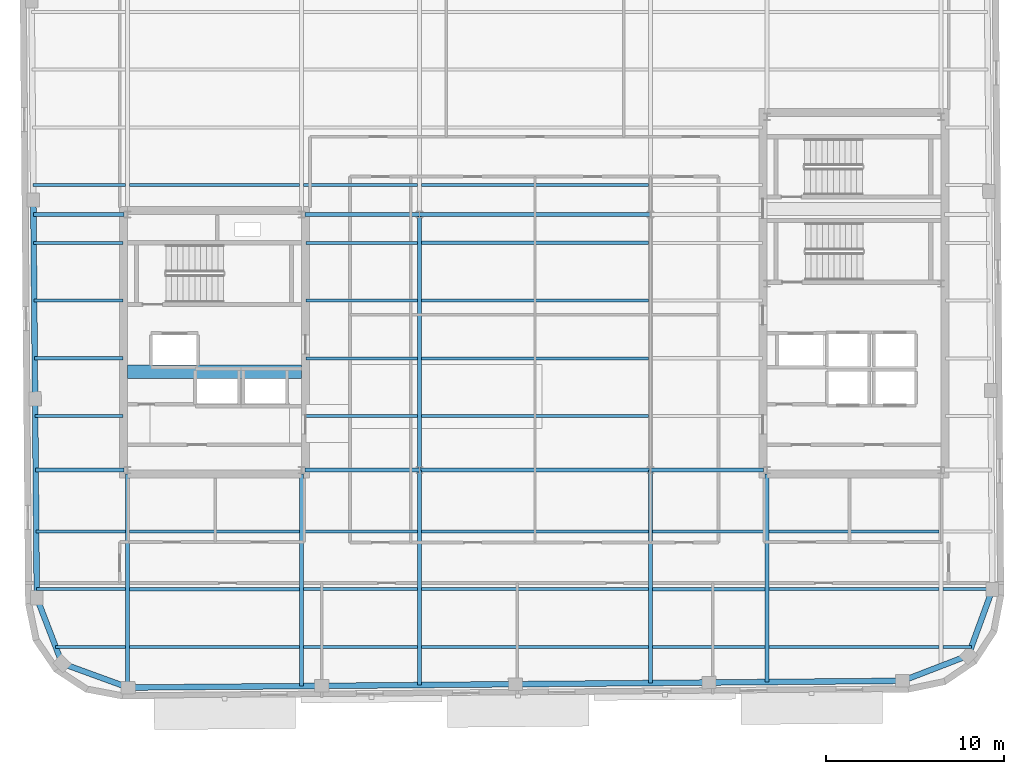
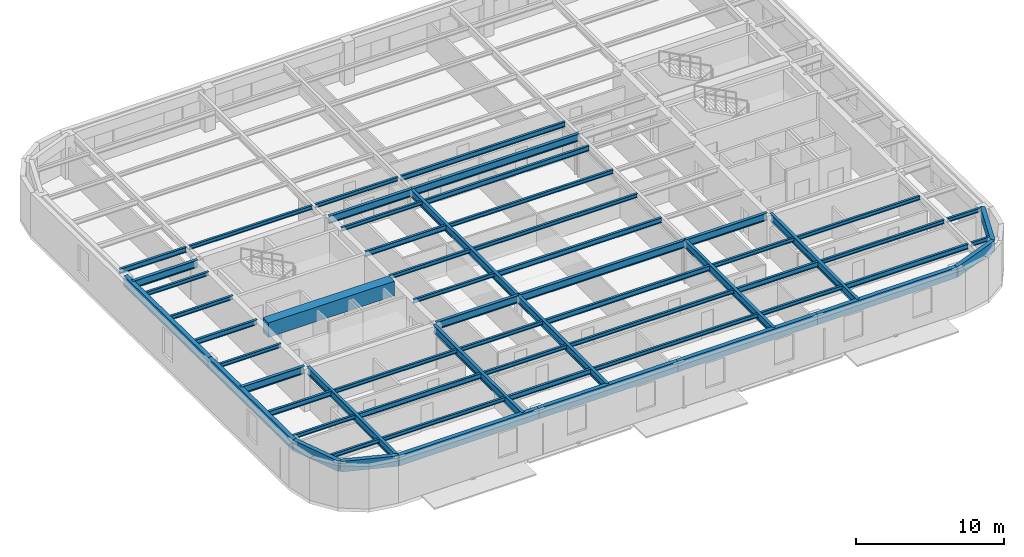
# One storey, part 4 of 14: 60 beams.
"""IFC4 building model written with IfcOpenShell, lengths in metres."""

from ifc_helpers import new_model, si_unit, direction, frame, origin, origin_2d, place, context, subcontext, project, spatial, rectangle, hollow_rectangle, i_section, extrude, material, material_profile, profile_set, type_object, element, save


model = new_model("IFC4")

# Units and contexts
model_context = context("Model", 3, precision=1e-05, world=origin(), true_north=direction((0.0, 1.0)))
body_context = subcontext(model_context, "Body", "Model", "MODEL_VIEW")
ifc_project = project(units=[si_unit("LENGTHUNIT", "METRE"), si_unit("AREAUNIT", "SQUARE_METRE"), si_unit("VOLUMEUNIT", "CUBIC_METRE"), si_unit("PLANEANGLEUNIT", "RADIAN"), si_unit("MASSUNIT", "GRAM", prefix="KILO")], contexts=[model_context])

# Site, building, storey
site_placement = place(None, origin())
site = spatial("IfcSite", under=ifc_project, at=site_placement, CompositionType="ELEMENT")
building_placement = place(site_placement, origin())
building = spatial("IfcBuilding", under=site, at=building_placement, Name="Kolvaren Arena Tower", CompositionType="ELEMENT")
storey_placement = place(building_placement, frame((0.0, 0.0, 289.89990234375)))
storey = spatial("IfcBuildingStorey", under=building, at=storey_placement, Name="L71", CompositionType="ELEMENT", Elevation=289.89990234375)

# Beams
ifc_material_1 = material(Name="Steel CSA G40.21 350W", Category="steel")
ifc_material_profile_1 = material_profile(ifc_material_1, i_section(OverallWidth=0.180908203125, OverallDepth=0.4169921875, WebThickness=0.010986328125, FlangeThickness=0.018310546875, FilletRadius=0.011962890625, at=origin_2d()), Name="W410x85")
ifc_profile_set_1 = profile_set([ifc_material_profile_1], Name="Steel CSA G40.21 350W")
beam_type_1 = type_object("IfcBeamType", Name="BEAM-F3", PredefinedType="BEAM", material=ifc_profile_set_1)
beam_1_placement = place(storey_placement, frame((24.464111328125, 9.5, 3.271484375), z_axis=(1.0, 0.0, 0.0), x_axis=(0.0, 1.0, 0.0)))
element("IfcBeam", 1, at=beam_1_placement, inside=storey, type_object=beam_type_1, Name="Composite Floor Beam (L71)", PredefinedType="BEAM", context=body_context, shape_type="SweptSolid", body=[
    extrude(i_section(OverallWidth=0.180908203125, OverallDepth=0.4169921875, WebThickness=0.010986328125, FlangeThickness=0.018310546875, FilletRadius=0.011962890625, at=origin_2d()), origin(), (0.0, 0.0, 1.0), 6.421875),
])
for number, where, z_axis, x_axis, name in (
    (2, (50.6640625, 9.5, 3.271484375), (1.0, 0.0, 0.0), (0.0, 1.0, 0.0), "Composite Floor Beam (L71)"),
    (3, (14.6640625, 12.75, 3.271484375), (1.0, 0.0, 0.0), (0.0, 1.0, 0.0), "Composite Floor Beam (L71)"),
):
    element("IfcBeam", number, at=place(storey_placement, frame(where, z_axis=z_axis, x_axis=x_axis)), inside=storey, type_object=beam_type_1, Name=name, PredefinedType="BEAM", context=body_context, shape_type="SweptSolid", body=[
        extrude(i_section(OverallWidth=0.180908203125, OverallDepth=0.4169921875, WebThickness=0.010986328125, FlangeThickness=0.018310546875, FilletRadius=0.011962890625, at=origin_2d()), origin(), (0.0, 0.0, 1.0), 9.572021484375),
    ])
beam_2_placement = place(storey_placement, frame((44.114013671875, 12.75, 3.271484375), z_axis=(1.0, 0.0, 0.0), x_axis=(0.0, 1.0, 0.0)))
element("IfcBeam", 4, at=beam_2_placement, inside=storey, type_object=beam_type_1, Name="Composite Floor Beam (L71)", PredefinedType="BEAM", context=body_context, shape_type="SweptSolid", body=[
    extrude(i_section(OverallWidth=0.180908203125, OverallDepth=0.4169921875, WebThickness=0.010986328125, FlangeThickness=0.018310546875, FilletRadius=0.011962890625, at=origin_2d()), origin(), (0.0, 0.0, 1.0), 6.322021484375),
])
beam_3_placement = place(storey_placement, frame((9.4150390625, 16.0, 3.271484375), z_axis=(1.0, 0.0, 0.0), x_axis=(0.0, 1.0, 0.0)))
element("IfcBeam", 5, at=beam_3_placement, inside=storey, type_object=beam_type_1, Name="Composite Floor Beam (L71)", PredefinedType="BEAM", context=body_context, shape_type="SweptSolid", body=[
    extrude(i_section(OverallWidth=0.180908203125, OverallDepth=0.4169921875, WebThickness=0.010986328125, FlangeThickness=0.018310546875, FilletRadius=0.011962890625, at=origin_2d()), origin(), (0.0, 0.0, 1.0), 5.02099609375),
])
for number, where, z_axis, x_axis, name in (
    (6, (31.114013671875, 16.0, 3.271484375), (1.0, 0.0, 0.0), (0.0, 1.0, 0.0), "Composite Floor Beam (L71)"),
    (7, (31.114013671875, 22.5, 3.271484375), (1.0, 0.0, 0.0), (0.0, 1.0, 0.0), "Composite Floor Beam (L71)"),
):
    element("IfcBeam", number, at=place(storey_placement, frame(where, z_axis=z_axis, x_axis=x_axis)), inside=storey, type_object=beam_type_1, Name=name, PredefinedType="BEAM", context=body_context, shape_type="SweptSolid", body=[
        extrude(i_section(OverallWidth=0.180908203125, OverallDepth=0.4169921875, WebThickness=0.010986328125, FlangeThickness=0.018310546875, FilletRadius=0.011962890625, at=origin_2d()), origin(), (0.0, 0.0, 1.0), 12.77197265625),
    ])
beam_4_placement = place(storey_placement, frame((9.330078125, 25.75, 3.271484375), z_axis=(1.0, 0.0, 0.0), x_axis=(0.0, 1.0, 0.0)))
element("IfcBeam", 8, at=beam_4_placement, inside=storey, type_object=beam_type_1, Name="Composite Floor Beam (L71)", PredefinedType="BEAM", context=body_context, shape_type="SweptSolid", body=[
    extrude(i_section(OverallWidth=0.180908203125, OverallDepth=0.4169921875, WebThickness=0.010986328125, FlangeThickness=0.018310546875, FilletRadius=0.011962890625, at=origin_2d()), origin(), (0.0, 0.0, 1.0), 4.974853515625),
])
beam_5_placement = place(storey_placement, frame((24.594970703125, 29.0, 3.271484375), z_axis=(1.0, 0.0, 0.0), x_axis=(0.0, 1.0, 0.0)))
element("IfcBeam", 9, at=beam_5_placement, inside=storey, type_object=beam_type_1, Name="Composite Floor Beam (L71)", PredefinedType="BEAM", context=body_context, shape_type="SweptSolid", body=[
    extrude(i_section(OverallWidth=0.180908203125, OverallDepth=0.4169921875, WebThickness=0.010986328125, FlangeThickness=0.018310546875, FilletRadius=0.011962890625, at=origin_2d()), origin(), (0.0, 0.0, 1.0), 6.291015625),
])
beam_6_placement = place(storey_placement, frame((31.114013671875, 32.25, 3.271484375), z_axis=(1.0, 0.0, 0.0), x_axis=(0.0, 1.0, 0.0)))
element("IfcBeam", 10, at=beam_6_placement, inside=storey, type_object=beam_type_1, Name="Composite Floor Beam (L71)", PredefinedType="BEAM", context=body_context, shape_type="SweptSolid", body=[
    extrude(i_section(OverallWidth=0.180908203125, OverallDepth=0.4169921875, WebThickness=0.010986328125, FlangeThickness=0.018310546875, FilletRadius=0.011962890625, at=origin_2d()), origin(), (0.0, 0.0, 1.0), 12.77197265625),
])
beam_7_placement = place(storey_placement, frame((9.244873046875, 35.5, 3.271484375), z_axis=(1.0, 0.0, 0.0), x_axis=(0.0, 1.0, 0.0)))
element("IfcBeam", 11, at=beam_7_placement, inside=storey, type_object=beam_type_1, Name="Composite Floor Beam (L71)", PredefinedType="BEAM", context=body_context, shape_type="SweptSolid", body=[
    extrude(i_section(OverallWidth=0.180908203125, OverallDepth=0.4169921875, WebThickness=0.010986328125, FlangeThickness=0.018310546875, FilletRadius=0.011962890625, at=origin_2d()), origin(), (0.0, 0.0, 1.0), 5.191162109375),
])
beam_8_placement = place(storey_placement, frame((31.114013671875, 35.5, 3.271484375), z_axis=(1.0, 0.0, 0.0), x_axis=(0.0, 1.0, 0.0)))
element("IfcBeam", 12, at=beam_8_placement, inside=storey, type_object=beam_type_1, Name="Composite Floor Beam (L71)", PredefinedType="BEAM", context=body_context, shape_type="SweptSolid", body=[
    extrude(i_section(OverallWidth=0.180908203125, OverallDepth=0.4169921875, WebThickness=0.010986328125, FlangeThickness=0.018310546875, FilletRadius=0.011962890625, at=origin_2d()), origin(), (0.0, 0.0, 1.0), 12.77197265625),
])
ifc_material_2 = material(Name="Concrete 60 MPa", Category="concrete")
ifc_material_profile_2 = material_profile(ifc_material_2, rectangle(XDim=0.75, YDim=1.199951171875, at=origin_2d()), Name="RC-750x1200")
ifc_profile_set_2 = profile_set([ifc_material_profile_2], Name="Concrete 60 MPa")
beam_type_2 = type_object("IfcBeamType", Name="CB-CORE-2", PredefinedType="BEAM", material=ifc_profile_set_2)
beam_9_placement = place(storey_placement, frame((14.550048828125, 25.0, 3.150146484375), z_axis=(1.0, 0.0, 0.0), x_axis=(0.0, 1.0, 0.0)))
element("IfcBeam", 13, at=beam_9_placement, inside=storey, type_object=beam_type_2, Name="West Core Coupling Beam (L71)", PredefinedType="BEAM", context=body_context, shape_type="SweptSolid", body=[
    extrude(rectangle(XDim=0.75, YDim=1.199951171875, at=origin_2d()), origin(), (0.0, 0.0, 1.0), 9.800048828125),
])
ifc_material_profile_3 = material_profile(ifc_material_1, i_section(OverallWidth=0.22802734375, OverallDepth=0.615966796875, WebThickness=0.013916015625, FlangeThickness=0.02490234375, FilletRadius=0.014892578125, at=origin_2d()), Name="W610x174")
ifc_profile_set_3 = profile_set([ifc_material_profile_3], Name="Steel CSA G40.21 350W")
beam_type_3 = type_object("IfcBeamType", Name="GIRD-T3", PredefinedType="BEAM", material=ifc_profile_set_3)
beam_10_placement = place(storey_placement, frame((9.385009765625, 19.449951171875, 3.172119140625), z_axis=(1.0, 0.0, 0.0), x_axis=(0.0, 1.0, 0.0)))
element("IfcBeam", 14, at=beam_10_placement, inside=storey, type_object=beam_type_3, Name="Primary Floor Girder (L71)", PredefinedType="BEAM", context=body_context, shape_type="SweptSolid", body=[
    extrude(i_section(OverallWidth=0.22802734375, OverallDepth=0.615966796875, WebThickness=0.013916015625, FlangeThickness=0.02490234375, FilletRadius=0.014892578125, at=origin_2d()), origin(), (0.0, 0.0, 1.0), 4.9599609375),
])
beam_11_placement = place(storey_placement, frame((24.554931640625, 19.449951171875, 3.172119140625), z_axis=(1.0, 0.0, 0.0), x_axis=(0.0, 1.0, 0.0)))
element("IfcBeam", 15, at=beam_11_placement, inside=storey, type_object=beam_type_3, Name="Primary Floor Girder (L71)", PredefinedType="BEAM", context=body_context, shape_type="SweptSolid", body=[
    extrude(i_section(OverallWidth=0.22802734375, OverallDepth=0.615966796875, WebThickness=0.013916015625, FlangeThickness=0.02490234375, FilletRadius=0.014892578125, at=origin_2d()), origin(), (0.0, 0.0, 1.0), 6.445068359375),
])
beam_12_placement = place(storey_placement, frame((31.0, 19.449951171875, 3.172119140625), z_axis=(1.0, 0.0, 0.0), x_axis=(0.0, 1.0, 0.0)))
element("IfcBeam", 16, at=beam_12_placement, inside=storey, type_object=beam_type_3, Name="Primary Floor Girder (L71)", PredefinedType="BEAM", context=body_context, shape_type="SweptSolid", body=[
    extrude(i_section(OverallWidth=0.22802734375, OverallDepth=0.615966796875, WebThickness=0.013916015625, FlangeThickness=0.02490234375, FilletRadius=0.014892578125, at=origin_2d()), origin(), (0.0, 0.0, 1.0), 13.0),
])
beam_13_placement = place(storey_placement, frame((44.0, 19.449951171875, 3.172119140625), z_axis=(1.0, 0.0, 0.0), x_axis=(0.0, 1.0, 0.0)))
element("IfcBeam", 17, at=beam_13_placement, inside=storey, type_object=beam_type_3, Name="Primary Floor Girder (L71)", PredefinedType="BEAM", context=body_context, shape_type="SweptSolid", body=[
    extrude(i_section(OverallWidth=0.22802734375, OverallDepth=0.615966796875, WebThickness=0.013916015625, FlangeThickness=0.02490234375, FilletRadius=0.014892578125, at=origin_2d()), origin(), (0.0, 0.0, 1.0), 6.344970703125),
])
beam_14_placement = place(storey_placement, frame((9.25927734375, 33.85009765625, 3.172119140625), z_axis=(1.0, 0.0, 0.0), x_axis=(0.0, 1.0, 0.0)))
element("IfcBeam", 18, at=beam_14_placement, inside=storey, type_object=beam_type_3, Name="Primary Floor Girder (L71)", PredefinedType="BEAM", context=body_context, shape_type="SweptSolid", body=[
    extrude(i_section(OverallWidth=0.22802734375, OverallDepth=0.615966796875, WebThickness=0.013916015625, FlangeThickness=0.02490234375, FilletRadius=0.014892578125, at=origin_2d()), origin(), (0.0, 0.0, 1.0), 5.085693359375),
])
beam_15_placement = place(storey_placement, frame((24.554931640625, 33.85009765625, 3.172119140625), z_axis=(1.0, 0.0, 0.0), x_axis=(0.0, 1.0, 0.0)))
element("IfcBeam", 19, at=beam_15_placement, inside=storey, type_object=beam_type_3, Name="Primary Floor Girder (L71)", PredefinedType="BEAM", context=body_context, shape_type="SweptSolid", body=[
    extrude(i_section(OverallWidth=0.22802734375, OverallDepth=0.615966796875, WebThickness=0.013916015625, FlangeThickness=0.02490234375, FilletRadius=0.014892578125, at=origin_2d()), origin(), (0.0, 0.0, 1.0), 6.445068359375),
])
beam_16_placement = place(storey_placement, frame((31.0, 33.85009765625, 3.172119140625), z_axis=(1.0, 0.0, 0.0), x_axis=(0.0, 1.0, 0.0)))
element("IfcBeam", 20, at=beam_16_placement, inside=storey, type_object=beam_type_3, Name="Primary Floor Girder (L71)", PredefinedType="BEAM", context=body_context, shape_type="SweptSolid", body=[
    extrude(i_section(OverallWidth=0.22802734375, OverallDepth=0.615966796875, WebThickness=0.013916015625, FlangeThickness=0.02490234375, FilletRadius=0.014892578125, at=origin_2d()), origin(), (0.0, 0.0, 1.0), 13.0),
])
beam_17_placement = place(storey_placement, frame((14.550048828125, 7.225830078125, 3.172119140625), z_axis=(0.0, 1.0, 0.0), x_axis=(-1.0, 0.0, 0.0)))
element("IfcBeam", 21, at=beam_17_placement, inside=storey, type_object=beam_type_3, Name="Primary Floor Girder (L71)", PredefinedType="BEAM", context=body_context, shape_type="SweptSolid", body=[
    extrude(i_section(OverallWidth=0.22802734375, OverallDepth=0.615966796875, WebThickness=0.013916015625, FlangeThickness=0.02490234375, FilletRadius=0.014892578125, at=origin_2d()), origin(), (0.0, 0.0, 1.0), 12.019287109375),
])
beam_18_placement = place(storey_placement, frame((24.35009765625, 7.295654296875, 3.172119140625), z_axis=(0.0, 1.0, 0.0), x_axis=(-1.0, 0.0, 0.0)))
element("IfcBeam", 22, at=beam_18_placement, inside=storey, type_object=beam_type_3, Name="Primary Floor Girder (L71)", PredefinedType="BEAM", context=body_context, shape_type="SweptSolid", body=[
    extrude(i_section(OverallWidth=0.22802734375, OverallDepth=0.615966796875, WebThickness=0.013916015625, FlangeThickness=0.02490234375, FilletRadius=0.014892578125, at=origin_2d()), origin(), (0.0, 0.0, 1.0), 11.949462890625),
])
beam_19_placement = place(storey_placement, frame((31.0, 7.353759765625, 3.172119140625), z_axis=(0.0, 1.0, 0.0), x_axis=(-1.0, 0.0, 0.0)))
element("IfcBeam", 23, at=beam_19_placement, inside=storey, type_object=beam_type_3, Name="Primary Floor Girder (L71)", PredefinedType="BEAM", context=body_context, shape_type="SweptSolid", body=[
    extrude(i_section(OverallWidth=0.22802734375, OverallDepth=0.615966796875, WebThickness=0.013916015625, FlangeThickness=0.02490234375, FilletRadius=0.014892578125, at=origin_2d()), origin(), (0.0, 0.0, 1.0), 12.09619140625),
])
beam_20_placement = place(storey_placement, frame((31.0, 19.449951171875, 3.172119140625), z_axis=(0.0, 1.0, 0.0), x_axis=(-1.0, 0.0, 0.0)))
element("IfcBeam", 24, at=beam_20_placement, inside=storey, type_object=beam_type_3, Name="Primary Floor Girder (L71)", PredefinedType="BEAM", context=body_context, shape_type="SweptSolid", body=[
    extrude(i_section(OverallWidth=0.22802734375, OverallDepth=0.615966796875, WebThickness=0.013916015625, FlangeThickness=0.02490234375, FilletRadius=0.014892578125, at=origin_2d()), origin(), (0.0, 0.0, 1.0), 14.400146484375),
])
beam_21_placement = place(storey_placement, frame((44.0, 7.46728515625, 3.172119140625), z_axis=(0.0, 1.0, 0.0), x_axis=(-1.0, 0.0, 0.0)))
element("IfcBeam", 25, at=beam_21_placement, inside=storey, type_object=beam_type_3, Name="Primary Floor Girder (L71)", PredefinedType="BEAM", context=body_context, shape_type="SweptSolid", body=[
    extrude(i_section(OverallWidth=0.22802734375, OverallDepth=0.615966796875, WebThickness=0.013916015625, FlangeThickness=0.02490234375, FilletRadius=0.014892578125, at=origin_2d()), origin(), (0.0, 0.0, 1.0), 11.982666015625),
])
beam_22_placement = place(storey_placement, frame((50.550048828125, 7.5244140625, 3.172119140625), z_axis=(0.0, 1.0, 0.0), x_axis=(-1.0, 0.0, 0.0)))
element("IfcBeam", 26, at=beam_22_placement, inside=storey, type_object=beam_type_3, Name="Primary Floor Girder (L71)", PredefinedType="BEAM", context=body_context, shape_type="SweptSolid", body=[
    extrude(i_section(OverallWidth=0.22802734375, OverallDepth=0.615966796875, WebThickness=0.013916015625, FlangeThickness=0.02490234375, FilletRadius=0.014892578125, at=origin_2d()), origin(), (0.0, 0.0, 1.0), 11.720703125),
])
ifc_material_profile_4 = material_profile(ifc_material_1, i_section(OverallWidth=0.1669921875, OverallDepth=0.31689453125, WebThickness=0.007568359375, FlangeThickness=0.01318359375, FilletRadius=0.010009765625, at=origin_2d()), Name="W310x52")
ifc_profile_set_4 = profile_set([ifc_material_profile_4], Name="Steel CSA G40.21 350W")
beam_type_4 = type_object("IfcBeamType", Name="JOIST-02", PredefinedType="JOIST", material=ifc_profile_set_4)
beam_23_placement = place(storey_placement, frame((10.5126953125, 9.5, 3.321533203125), z_axis=(1.0, 0.0, 0.0), x_axis=(0.0, 1.0, 0.0)))
element("IfcBeam", 27, at=beam_23_placement, inside=storey, type_object=beam_type_4, Name="Composite Floor Joist (L71)", PredefinedType="JOIST", context=body_context, shape_type="SweptSolid", body=[
    extrude(i_section(OverallWidth=0.1669921875, OverallDepth=0.31689453125, WebThickness=0.007568359375, FlangeThickness=0.01318359375, FilletRadius=0.010009765625, at=origin_2d()), origin(), (0.0, 0.0, 1.0), 3.92333984375),
])
beam_24_placement = place(storey_placement, frame((14.6640625, 9.5, 3.321533203125), z_axis=(1.0, 0.0, 0.0), x_axis=(0.0, 1.0, 0.0)))
element("IfcBeam", 28, at=beam_24_placement, inside=storey, type_object=beam_type_4, Name="Composite Floor Joist (L71)", PredefinedType="JOIST", context=body_context, shape_type="SweptSolid", body=[
    extrude(i_section(OverallWidth=0.1669921875, OverallDepth=0.31689453125, WebThickness=0.007568359375, FlangeThickness=0.01318359375, FilletRadius=0.010009765625, at=origin_2d()), origin(), (0.0, 0.0, 1.0), 9.572021484375),
])
beam_25_placement = place(storey_placement, frame((31.114013671875, 9.5, 3.321533203125), z_axis=(1.0, 0.0, 0.0), x_axis=(0.0, 1.0, 0.0)))
element("IfcBeam", 29, at=beam_25_placement, inside=storey, type_object=beam_type_4, Name="Composite Floor Joist (L71)", PredefinedType="JOIST", context=body_context, shape_type="SweptSolid", body=[
    extrude(i_section(OverallWidth=0.1669921875, OverallDepth=0.31689453125, WebThickness=0.007568359375, FlangeThickness=0.01318359375, FilletRadius=0.010009765625, at=origin_2d()), origin(), (0.0, 0.0, 1.0), 12.77197265625),
])
beam_26_placement = place(storey_placement, frame((44.114013671875, 9.5, 3.321533203125), z_axis=(1.0, 0.0, 0.0), x_axis=(0.0, 1.0, 0.0)))
element("IfcBeam", 30, at=beam_26_placement, inside=storey, type_object=beam_type_4, Name="Composite Floor Joist (L71)", PredefinedType="JOIST", context=body_context, shape_type="SweptSolid", body=[
    extrude(i_section(OverallWidth=0.1669921875, OverallDepth=0.31689453125, WebThickness=0.007568359375, FlangeThickness=0.01318359375, FilletRadius=0.010009765625, at=origin_2d()), origin(), (0.0, 0.0, 1.0), 6.322021484375),
])
beam_27_placement = place(storey_placement, frame((60.464111328125, 9.5, 3.321533203125), z_axis=(1.0, 0.0, 0.0), x_axis=(0.0, 1.0, 0.0)))
element("IfcBeam", 31, at=beam_27_placement, inside=storey, type_object=beam_type_4, Name="Composite Floor Joist (L71)", PredefinedType="JOIST", context=body_context, shape_type="SweptSolid", body=[
    extrude(i_section(OverallWidth=0.1669921875, OverallDepth=0.31689453125, WebThickness=0.007568359375, FlangeThickness=0.01318359375, FilletRadius=0.010009765625, at=origin_2d()), origin(), (0.0, 0.0, 1.0), 1.60009765625),
])
beam_28_placement = place(storey_placement, frame((9.443359375, 12.75, 3.321533203125), z_axis=(1.0, 0.0, 0.0), x_axis=(0.0, 1.0, 0.0)))
element("IfcBeam", 32, at=beam_28_placement, inside=storey, type_object=beam_type_4, Name="Composite Floor Joist (L71)", PredefinedType="JOIST", context=body_context, shape_type="SweptSolid", body=[
    extrude(i_section(OverallWidth=0.1669921875, OverallDepth=0.31689453125, WebThickness=0.007568359375, FlangeThickness=0.01318359375, FilletRadius=0.010009765625, at=origin_2d()), origin(), (0.0, 0.0, 1.0), 4.99267578125),
])
beam_29_placement = place(storey_placement, frame((24.464111328125, 12.75, 3.321533203125), z_axis=(1.0, 0.0, 0.0), x_axis=(0.0, 1.0, 0.0)))
element("IfcBeam", 33, at=beam_29_placement, inside=storey, type_object=beam_type_4, Name="Composite Floor Joist (L71)", PredefinedType="JOIST", context=body_context, shape_type="SweptSolid", body=[
    extrude(i_section(OverallWidth=0.1669921875, OverallDepth=0.31689453125, WebThickness=0.007568359375, FlangeThickness=0.01318359375, FilletRadius=0.010009765625, at=origin_2d()), origin(), (0.0, 0.0, 1.0), 6.421875),
])
beam_30_placement = place(storey_placement, frame((31.114013671875, 12.75, 3.321533203125), z_axis=(1.0, 0.0, 0.0), x_axis=(0.0, 1.0, 0.0)))
element("IfcBeam", 34, at=beam_30_placement, inside=storey, type_object=beam_type_4, Name="Composite Floor Joist (L71)", PredefinedType="JOIST", context=body_context, shape_type="SweptSolid", body=[
    extrude(i_section(OverallWidth=0.1669921875, OverallDepth=0.31689453125, WebThickness=0.007568359375, FlangeThickness=0.01318359375, FilletRadius=0.010009765625, at=origin_2d()), origin(), (0.0, 0.0, 1.0), 12.77197265625),
])
beam_31_placement = place(storey_placement, frame((50.6640625, 12.75, 3.321533203125), z_axis=(1.0, 0.0, 0.0), x_axis=(0.0, 1.0, 0.0)))
element("IfcBeam", 35, at=beam_31_placement, inside=storey, type_object=beam_type_4, Name="Composite Floor Joist (L71)", PredefinedType="JOIST", context=body_context, shape_type="SweptSolid", body=[
    extrude(i_section(OverallWidth=0.1669921875, OverallDepth=0.31689453125, WebThickness=0.007568359375, FlangeThickness=0.01318359375, FilletRadius=0.010009765625, at=origin_2d()), origin(), (0.0, 0.0, 1.0), 9.572021484375),
])
beam_32_placement = place(storey_placement, frame((60.464111328125, 12.75, 3.321533203125), z_axis=(1.0, 0.0, 0.0), x_axis=(0.0, 1.0, 0.0)))
element("IfcBeam", 36, at=beam_32_placement, inside=storey, type_object=beam_type_4, Name="Composite Floor Joist (L71)", PredefinedType="JOIST", context=body_context, shape_type="SweptSolid", body=[
    extrude(i_section(OverallWidth=0.1669921875, OverallDepth=0.31689453125, WebThickness=0.007568359375, FlangeThickness=0.01318359375, FilletRadius=0.010009765625, at=origin_2d()), origin(), (0.0, 0.0, 1.0), 2.781494140625),
])
beam_33_placement = place(storey_placement, frame((14.6640625, 16.0, 3.321533203125), z_axis=(1.0, 0.0, 0.0), x_axis=(0.0, 1.0, 0.0)))
element("IfcBeam", 37, at=beam_33_placement, inside=storey, type_object=beam_type_4, Name="Composite Floor Joist (L71)", PredefinedType="JOIST", context=body_context, shape_type="SweptSolid", body=[
    extrude(i_section(OverallWidth=0.1669921875, OverallDepth=0.31689453125, WebThickness=0.007568359375, FlangeThickness=0.01318359375, FilletRadius=0.010009765625, at=origin_2d()), origin(), (0.0, 0.0, 1.0), 9.572021484375),
])
beam_34_placement = place(storey_placement, frame((24.464111328125, 16.0, 3.321533203125), z_axis=(1.0, 0.0, 0.0), x_axis=(0.0, 1.0, 0.0)))
element("IfcBeam", 38, at=beam_34_placement, inside=storey, type_object=beam_type_4, Name="Composite Floor Joist (L71)", PredefinedType="JOIST", context=body_context, shape_type="SweptSolid", body=[
    extrude(i_section(OverallWidth=0.1669921875, OverallDepth=0.31689453125, WebThickness=0.007568359375, FlangeThickness=0.01318359375, FilletRadius=0.010009765625, at=origin_2d()), origin(), (0.0, 0.0, 1.0), 6.421875),
])
beam_35_placement = place(storey_placement, frame((44.114013671875, 16.0, 3.321533203125), z_axis=(1.0, 0.0, 0.0), x_axis=(0.0, 1.0, 0.0)))
element("IfcBeam", 39, at=beam_35_placement, inside=storey, type_object=beam_type_4, Name="Composite Floor Joist (L71)", PredefinedType="JOIST", context=body_context, shape_type="SweptSolid", body=[
    extrude(i_section(OverallWidth=0.1669921875, OverallDepth=0.31689453125, WebThickness=0.007568359375, FlangeThickness=0.01318359375, FilletRadius=0.010009765625, at=origin_2d()), origin(), (0.0, 0.0, 1.0), 6.322021484375),
])
beam_36_placement = place(storey_placement, frame((50.6640625, 16.0, 3.321533203125), z_axis=(1.0, 0.0, 0.0), x_axis=(0.0, 1.0, 0.0)))
element("IfcBeam", 40, at=beam_36_placement, inside=storey, type_object=beam_type_4, Name="Composite Floor Joist (L71)", PredefinedType="JOIST", context=body_context, shape_type="SweptSolid", body=[
    extrude(i_section(OverallWidth=0.1669921875, OverallDepth=0.31689453125, WebThickness=0.007568359375, FlangeThickness=0.01318359375, FilletRadius=0.010009765625, at=origin_2d()), origin(), (0.0, 0.0, 1.0), 9.572021484375),
])
beam_37_placement = place(storey_placement, frame((9.3583984375, 22.5, 3.321533203125), z_axis=(1.0, 0.0, 0.0), x_axis=(0.0, 1.0, 0.0)))
element("IfcBeam", 41, at=beam_37_placement, inside=storey, type_object=beam_type_4, Name="Composite Floor Joist (L71)", PredefinedType="JOIST", context=body_context, shape_type="SweptSolid", body=[
    extrude(i_section(OverallWidth=0.1669921875, OverallDepth=0.31689453125, WebThickness=0.007568359375, FlangeThickness=0.01318359375, FilletRadius=0.010009765625, at=origin_2d()), origin(), (0.0, 0.0, 1.0), 4.946533203125),
])
for number, where, z_axis, x_axis, name in (
    (42, (24.594970703125, 22.5, 3.321533203125), (1.0, 0.0, 0.0), (0.0, 1.0, 0.0), "Composite Floor Joist (L71)"),
    (43, (24.594970703125, 25.75, 3.321533203125), (1.0, 0.0, 0.0), (0.0, 1.0, 0.0), "Composite Floor Joist (L71)"),
):
    element("IfcBeam", number, at=place(storey_placement, frame(where, z_axis=z_axis, x_axis=x_axis)), inside=storey, type_object=beam_type_4, Name=name, PredefinedType="JOIST", context=body_context, shape_type="SweptSolid", body=[
        extrude(i_section(OverallWidth=0.1669921875, OverallDepth=0.31689453125, WebThickness=0.007568359375, FlangeThickness=0.01318359375, FilletRadius=0.010009765625, at=origin_2d()), origin(), (0.0, 0.0, 1.0), 6.291015625),
    ])
beam_38_placement = place(storey_placement, frame((31.114013671875, 25.75, 3.321533203125), z_axis=(1.0, 0.0, 0.0), x_axis=(0.0, 1.0, 0.0)))
element("IfcBeam", 44, at=beam_38_placement, inside=storey, type_object=beam_type_4, Name="Composite Floor Joist (L71)", PredefinedType="JOIST", context=body_context, shape_type="SweptSolid", body=[
    extrude(i_section(OverallWidth=0.1669921875, OverallDepth=0.31689453125, WebThickness=0.007568359375, FlangeThickness=0.01318359375, FilletRadius=0.010009765625, at=origin_2d()), origin(), (0.0, 0.0, 1.0), 12.77197265625),
])
beam_39_placement = place(storey_placement, frame((9.301513671875, 29.0, 3.321533203125), z_axis=(1.0, 0.0, 0.0), x_axis=(0.0, 1.0, 0.0)))
element("IfcBeam", 45, at=beam_39_placement, inside=storey, type_object=beam_type_4, Name="Composite Floor Joist (L71)", PredefinedType="JOIST", context=body_context, shape_type="SweptSolid", body=[
    extrude(i_section(OverallWidth=0.1669921875, OverallDepth=0.31689453125, WebThickness=0.007568359375, FlangeThickness=0.01318359375, FilletRadius=0.010009765625, at=origin_2d()), origin(), (0.0, 0.0, 1.0), 5.00341796875),
])
beam_40_placement = place(storey_placement, frame((31.114013671875, 29.0, 3.321533203125), z_axis=(1.0, 0.0, 0.0), x_axis=(0.0, 1.0, 0.0)))
element("IfcBeam", 46, at=beam_40_placement, inside=storey, type_object=beam_type_4, Name="Composite Floor Joist (L71)", PredefinedType="JOIST", context=body_context, shape_type="SweptSolid", body=[
    extrude(i_section(OverallWidth=0.1669921875, OverallDepth=0.31689453125, WebThickness=0.007568359375, FlangeThickness=0.01318359375, FilletRadius=0.010009765625, at=origin_2d()), origin(), (0.0, 0.0, 1.0), 12.77197265625),
])
beam_41_placement = place(storey_placement, frame((9.273193359375, 32.25, 3.321533203125), z_axis=(1.0, 0.0, 0.0), x_axis=(0.0, 1.0, 0.0)))
element("IfcBeam", 47, at=beam_41_placement, inside=storey, type_object=beam_type_4, Name="Composite Floor Joist (L71)", PredefinedType="JOIST", context=body_context, shape_type="SweptSolid", body=[
    extrude(i_section(OverallWidth=0.1669921875, OverallDepth=0.31689453125, WebThickness=0.007568359375, FlangeThickness=0.01318359375, FilletRadius=0.010009765625, at=origin_2d()), origin(), (0.0, 0.0, 1.0), 5.03173828125),
])
beam_42_placement = place(storey_placement, frame((24.594970703125, 32.25, 3.321533203125), z_axis=(1.0, 0.0, 0.0), x_axis=(0.0, 1.0, 0.0)))
element("IfcBeam", 48, at=beam_42_placement, inside=storey, type_object=beam_type_4, Name="Composite Floor Joist (L71)", PredefinedType="JOIST", context=body_context, shape_type="SweptSolid", body=[
    extrude(i_section(OverallWidth=0.1669921875, OverallDepth=0.31689453125, WebThickness=0.007568359375, FlangeThickness=0.01318359375, FilletRadius=0.010009765625, at=origin_2d()), origin(), (0.0, 0.0, 1.0), 6.291015625),
])
beam_43_placement = place(storey_placement, frame((14.6640625, 35.5, 3.321533203125), z_axis=(1.0, 0.0, 0.0), x_axis=(0.0, 1.0, 0.0)))
element("IfcBeam", 49, at=beam_43_placement, inside=storey, type_object=beam_type_4, Name="Composite Floor Joist (L71)", PredefinedType="JOIST", context=body_context, shape_type="SweptSolid", body=[
    extrude(i_section(OverallWidth=0.1669921875, OverallDepth=0.31689453125, WebThickness=0.007568359375, FlangeThickness=0.01318359375, FilletRadius=0.010009765625, at=origin_2d()), origin(), (0.0, 0.0, 1.0), 9.572021484375),
])
beam_44_placement = place(storey_placement, frame((24.464111328125, 35.5, 3.321533203125), z_axis=(1.0, 0.0, 0.0), x_axis=(0.0, 1.0, 0.0)))
element("IfcBeam", 50, at=beam_44_placement, inside=storey, type_object=beam_type_4, Name="Composite Floor Joist (L71)", PredefinedType="JOIST", context=body_context, shape_type="SweptSolid", body=[
    extrude(i_section(OverallWidth=0.1669921875, OverallDepth=0.31689453125, WebThickness=0.007568359375, FlangeThickness=0.01318359375, FilletRadius=0.010009765625, at=origin_2d()), origin(), (0.0, 0.0, 1.0), 6.421875),
])
ifc_material_3 = material(Name="Steel CSA G40.21 350WT", Category="steel")
ifc_material_profile_5 = material_profile(ifc_material_3, hollow_rectangle(XDim=0.320068359375, YDim=0.860107421875, WallThickness=0.01806640625, at=origin_2d()), Name="HSS 860x320x18")
ifc_profile_set_5 = profile_set([ifc_material_profile_5], Name="Steel CSA G40.21 350WT")
beam_type_5 = type_object("IfcBeamType", Name="SPAND-02", PredefinedType="SPANDREL", material=ifc_profile_set_5)
for number, where, z_axis, x_axis, name in (
    (51, (14.591796875, 7.210693359375, 3.050048828125), (0.999962042393, 0.008712851036, 0.0), (-0.008712851036, 0.999962042393, 0.0), "Perimeter Spandrel Beam (L71)"),
    (52, (25.491455078125, 7.3056640625, 3.050048828125), (0.999961846999, 0.008735247404, 0.0), (-0.008735247404, 0.999961846999, 0.0), "Perimeter Spandrel Beam (L71)"),
    (53, (36.39111328125, 7.40087890625, 3.050048828125), (0.999961846999, 0.008735247404, 0.0), (-0.008735247404, 0.999961846999, 0.0), "Perimeter Spandrel Beam (L71)"),
):
    element("IfcBeam", number, at=place(storey_placement, frame(where, z_axis=z_axis, x_axis=x_axis)), inside=storey, type_object=beam_type_5, Name=name, PredefinedType="SPANDREL", context=body_context, shape_type="SweptSolid", body=[
        extrude(hollow_rectangle(XDim=0.320068359375, YDim=0.860107421875, WallThickness=0.01806640625, at=origin_2d()), origin(), (0.0, 0.0, 1.0), 10.900146484375),
    ])
beam_45_placement = place(storey_placement, frame((47.290771484375, 7.49609375, 3.050048828125), z_axis=(0.999962040693, 0.008713046184, 0.0), x_axis=(-0.008713046184, 0.999962040693, 0.0)))
element("IfcBeam", 54, at=beam_45_placement, inside=storey, type_object=beam_type_5, Name="Perimeter Spandrel Beam (L71)", PredefinedType="SPANDREL", context=body_context, shape_type="SweptSolid", body=[
    extrude(hollow_rectangle(XDim=0.320068359375, YDim=0.860107421875, WallThickness=0.01806640625, at=origin_2d()), origin(), (0.0, 0.0, 1.0), 10.89990234375),
])
for number, where, z_axis, x_axis, name in (
    (55, (58.190185546875, 7.591064453125, 3.050048828125), (0.933189846698, 0.359383792094, 0.0), (-0.359383792094, 0.933189846698, 0.0), "Perimeter Spandrel Beam (L71)"),
    (56, (61.88671875, 9.0146484375, 3.050048828125), (0.343059102458, 0.939313819882, 0.0), (-0.939313819882, 0.343059102458, 0.0), "Perimeter Spandrel Beam (L71)"),
):
    element("IfcBeam", number, at=place(storey_placement, frame(where, z_axis=z_axis, x_axis=x_axis)), inside=storey, type_object=beam_type_5, Name=name, PredefinedType="SPANDREL", context=body_context, shape_type="SweptSolid", body=[
        extrude(hollow_rectangle(XDim=0.320068359375, YDim=0.860107421875, WallThickness=0.01806640625, at=origin_2d()), origin(), (0.0, 0.0, 1.0), 3.961181640625),
    ])
beam_46_placement = place(storey_placement, frame((9.252197265625, 34.6650390625, 3.050048828125), z_axis=(0.008719394723, -0.999961985355, 0.0), x_axis=(0.999961985355, 0.008719394723, 0.0)))
element("IfcBeam", 57, at=beam_46_placement, inside=storey, type_object=beam_type_5, Name="Perimeter Spandrel Beam (L71)", PredefinedType="SPANDREL", context=body_context, shape_type="SweptSolid", body=[
    extrude(hollow_rectangle(XDim=0.320068359375, YDim=0.860107421875, WallThickness=0.01806640625, at=origin_2d()), origin(), (0.0, 0.0, 1.0), 11.199951171875),
])
beam_47_placement = place(storey_placement, frame((9.349853515625, 23.465576171875, 3.050048828125), z_axis=(0.008719204665, -0.999961987013, 0.0), x_axis=(0.999961987013, 0.008719204665, 0.0)))
element("IfcBeam", 58, at=beam_47_placement, inside=storey, type_object=beam_type_5, Name="Perimeter Spandrel Beam (L71)", PredefinedType="SPANDREL", context=body_context, shape_type="SweptSolid", body=[
    extrude(hollow_rectangle(XDim=0.320068359375, YDim=0.860107421875, WallThickness=0.01806640625, at=origin_2d()), origin(), (0.0, 0.0, 1.0), 11.2001953125),
])
beam_48_placement = place(storey_placement, frame((9.447509765625, 12.265869140625, 3.050048828125), z_axis=(0.359383792094, -0.933189846698, 0.0), x_axis=(0.933189846698, 0.359383792094, 0.0)))
element("IfcBeam", 59, at=beam_48_placement, inside=storey, type_object=beam_type_5, Name="Perimeter Spandrel Beam (L71)", PredefinedType="SPANDREL", context=body_context, shape_type="SweptSolid", body=[
    extrude(hollow_rectangle(XDim=0.320068359375, YDim=0.860107421875, WallThickness=0.01806640625, at=origin_2d()), origin(), (0.0, 0.0, 1.0), 3.961181640625),
])
beam_49_placement = place(storey_placement, frame((10.87109375, 8.5693359375, 3.050048828125), z_axis=(0.939333679924, -0.343004719736, 0.0), x_axis=(0.343004719736, 0.939333679924, 0.0)))
element("IfcBeam", 60, at=beam_49_placement, inside=storey, type_object=beam_type_5, Name="Perimeter Spandrel Beam (L71)", PredefinedType="SPANDREL", context=body_context, shape_type="SweptSolid", body=[
    extrude(hollow_rectangle(XDim=0.320068359375, YDim=0.860107421875, WallThickness=0.01806640625, at=origin_2d()), origin(), (0.0, 0.0, 1.0), 3.9609375),
])

save(model, "model.ifc")
